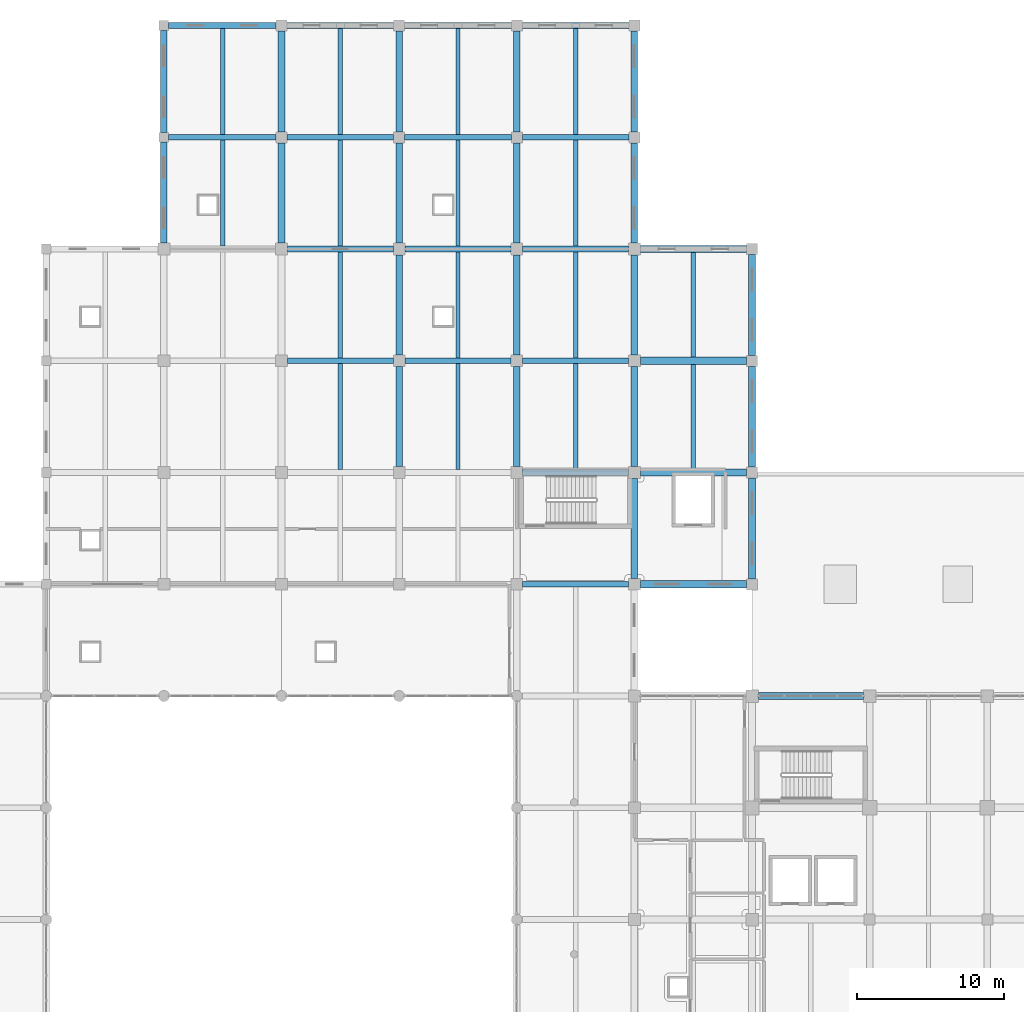
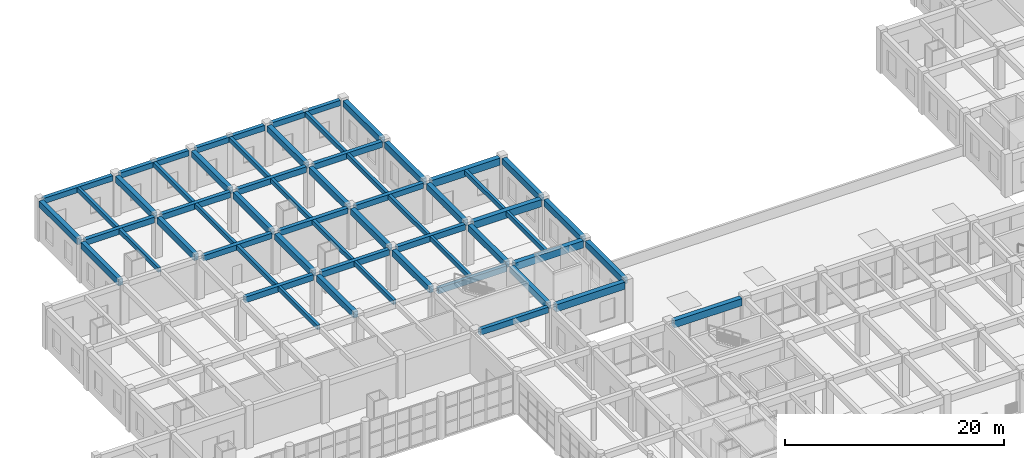
# One storey, part 40 of 101: 57 beams.
"""IFC4 building model written with IfcOpenShell, lengths in metres."""

from ifc_helpers import new_model, si_unit, direction, frame, origin, origin_2d, place, context, subcontext, project, spatial, rectangle, extrude, material, material_profile, profile_set, type_object, element, save


model = new_model("IFC4")

# Units and contexts
model_context = context("Model", 3, precision=1e-05, world=origin(), true_north=direction((0.0, 1.0)))
body_context = subcontext(model_context, "Body", "Model", "MODEL_VIEW")
ifc_project = project(units=[si_unit("LENGTHUNIT", "METRE"), si_unit("AREAUNIT", "SQUARE_METRE"), si_unit("VOLUMEUNIT", "CUBIC_METRE"), si_unit("PLANEANGLEUNIT", "RADIAN"), si_unit("MASSUNIT", "GRAM", prefix="KILO")], contexts=[model_context])

# Site, building, storey
site_placement = place(None, origin())
site = spatial("IfcSite", under=ifc_project, at=site_placement, CompositionType="ELEMENT")
building_placement = place(site_placement, origin())
building = spatial("IfcBuilding", under=site, at=building_placement, Name="Zantavel Square City Hall", CompositionType="ELEMENT")
storey_placement = place(building_placement, frame((0.0, 0.0, 5.39990234375)))
storey = spatial("IfcBuildingStorey", under=building, at=storey_placement, Name="L02", CompositionType="ELEMENT", Elevation=5.39990234375)

# Beams
ifc_material = material(Name="Concrete C35/45", Category="concrete")
ifc_material_profile_1 = material_profile(ifc_material, rectangle(XDim=0.300048828125, YDim=0.5, at=origin_2d()), Name="RC 300x500")
ifc_profile_set_1 = profile_set([ifc_material_profile_1], Name="Concrete C35/45")
beam_type_1 = type_object("IfcBeamType", Name="Floor Joist RC 300x500 C35/45", PredefinedType="JOIST", material=ifc_profile_set_1)
for number, where, z_axis, x_axis, name in (
    (1, (28.0, 99.0, 4.2900390625), (0.0, 1.0, 0.0), (-1.0, 0.0, 0.0), "L02 Floor Joist JST-L02-0280-0988"),
    (2, (28.0, 106.60009765625, 4.2900390625), (0.0, 1.0, 0.0), (-1.0, 0.0, 0.0), "L02 Floor Joist JST-L02-0280-1064"),
    (3, (36.0, 83.800048828125, 4.2900390625), (0.0, 1.0, 0.0), (-1.0, 0.0, 0.0), "L02 Floor Joist JST-L02-0360-0836"),
):
    element("IfcBeam", number, at=place(storey_placement, frame(where, z_axis=z_axis, x_axis=x_axis)), inside=storey, type_object=beam_type_1, Name=name, PredefinedType="JOIST", context=body_context, shape_type="SweptSolid", body=[
        extrude(rectangle(XDim=0.300048828125, YDim=0.5, at=origin_2d()), origin(), (0.0, 0.0, 1.0), 7.199951171875),
    ])
beam_1_placement = place(storey_placement, frame((36.0, 91.39990234375, 4.2900390625), z_axis=(0.0, 1.0, 0.0), x_axis=(-1.0, 0.0, 0.0)))
element("IfcBeam", 4, at=beam_1_placement, inside=storey, type_object=beam_type_1, Name="L02 Floor Joist JST-L02-0360-0912", PredefinedType="JOIST", context=body_context, shape_type="SweptSolid", body=[
    extrude(rectangle(XDim=0.300048828125, YDim=0.5, at=origin_2d()), origin(), (0.0, 0.0, 1.0), 7.2001953125),
])
for number, where, z_axis, x_axis, name in (
    (5, (36.0, 99.0, 4.2900390625), (0.0, 1.0, 0.0), (-1.0, 0.0, 0.0), "L02 Floor Joist JST-L02-0360-0988"),
    (6, (36.0, 106.60009765625, 4.2900390625), (0.0, 1.0, 0.0), (-1.0, 0.0, 0.0), "L02 Floor Joist JST-L02-0360-1064"),
    (7, (44.0, 83.800048828125, 4.2900390625), (0.0, 1.0, 0.0), (-1.0, 0.0, 0.0), "L02 Floor Joist JST-L02-0440-0836"),
):
    element("IfcBeam", number, at=place(storey_placement, frame(where, z_axis=z_axis, x_axis=x_axis)), inside=storey, type_object=beam_type_1, Name=name, PredefinedType="JOIST", context=body_context, shape_type="SweptSolid", body=[
        extrude(rectangle(XDim=0.300048828125, YDim=0.5, at=origin_2d()), origin(), (0.0, 0.0, 1.0), 7.199951171875),
    ])
beam_2_placement = place(storey_placement, frame((44.0, 91.39990234375, 4.2900390625), z_axis=(0.0, 1.0, 0.0), x_axis=(-1.0, 0.0, 0.0)))
element("IfcBeam", 8, at=beam_2_placement, inside=storey, type_object=beam_type_1, Name="L02 Floor Joist JST-L02-0440-0912", PredefinedType="JOIST", context=body_context, shape_type="SweptSolid", body=[
    extrude(rectangle(XDim=0.300048828125, YDim=0.5, at=origin_2d()), origin(), (0.0, 0.0, 1.0), 7.2001953125),
])
for number, where, z_axis, x_axis, name in (
    (9, (44.0, 99.0, 4.2900390625), (0.0, 1.0, 0.0), (-1.0, 0.0, 0.0), "L02 Floor Joist JST-L02-0440-0988"),
    (10, (44.0, 106.60009765625, 4.2900390625), (0.0, 1.0, 0.0), (-1.0, 0.0, 0.0), "L02 Floor Joist JST-L02-0440-1064"),
    (11, (52.0, 83.800048828125, 4.2900390625), (0.0, 1.0, 0.0), (-1.0, 0.0, 0.0), "L02 Floor Joist JST-L02-0520-0836"),
):
    element("IfcBeam", number, at=place(storey_placement, frame(where, z_axis=z_axis, x_axis=x_axis)), inside=storey, type_object=beam_type_1, Name=name, PredefinedType="JOIST", context=body_context, shape_type="SweptSolid", body=[
        extrude(rectangle(XDim=0.300048828125, YDim=0.5, at=origin_2d()), origin(), (0.0, 0.0, 1.0), 7.199951171875),
    ])
beam_3_placement = place(storey_placement, frame((52.0, 91.39990234375, 4.2900390625), z_axis=(0.0, 1.0, 0.0), x_axis=(-1.0, 0.0, 0.0)))
element("IfcBeam", 12, at=beam_3_placement, inside=storey, type_object=beam_type_1, Name="L02 Floor Joist JST-L02-0520-0912", PredefinedType="JOIST", context=body_context, shape_type="SweptSolid", body=[
    extrude(rectangle(XDim=0.300048828125, YDim=0.5, at=origin_2d()), origin(), (0.0, 0.0, 1.0), 7.2001953125),
])
for number, where, z_axis, x_axis, name in (
    (13, (52.0, 99.0, 4.2900390625), (0.0, 1.0, 0.0), (-1.0, 0.0, 0.0), "L02 Floor Joist JST-L02-0520-0988"),
    (14, (52.0, 106.60009765625, 4.2900390625), (0.0, 1.0, 0.0), (-1.0, 0.0, 0.0), "L02 Floor Joist JST-L02-0520-1064"),
):
    element("IfcBeam", number, at=place(storey_placement, frame(where, z_axis=z_axis, x_axis=x_axis)), inside=storey, type_object=beam_type_1, Name=name, PredefinedType="JOIST", context=body_context, shape_type="SweptSolid", body=[
        extrude(rectangle(XDim=0.300048828125, YDim=0.5, at=origin_2d()), origin(), (0.0, 0.0, 1.0), 7.199951171875),
    ])
beam_4_placement = place(storey_placement, frame((60.0, 83.85009765625, 4.2900390625), z_axis=(0.0, 1.0, 0.0), x_axis=(-1.0, 0.0, 0.0)))
element("IfcBeam", 15, at=beam_4_placement, inside=storey, type_object=beam_type_1, Name="L02 Floor Joist JST-L02-0600-0836", PredefinedType="JOIST", context=body_context, shape_type="SweptSolid", body=[
    extrude(rectangle(XDim=0.300048828125, YDim=0.5, at=origin_2d()), origin(), (0.0, 0.0, 1.0), 7.099853515625),
])
beam_5_placement = place(storey_placement, frame((60.0, 91.449951171875, 4.2900390625), z_axis=(0.0, 1.0, 0.0), x_axis=(-1.0, 0.0, 0.0)))
element("IfcBeam", 16, at=beam_5_placement, inside=storey, type_object=beam_type_1, Name="L02 Floor Joist JST-L02-0600-0912", PredefinedType="JOIST", context=body_context, shape_type="SweptSolid", body=[
    extrude(rectangle(XDim=0.300048828125, YDim=0.5, at=origin_2d()), origin(), (0.0, 0.0, 1.0), 7.10009765625),
])
ifc_material_profile_2 = material_profile(ifc_material, rectangle(XDim=0.39990234375, YDim=0.64990234375, at=origin_2d()), Name="RC 400x650")
ifc_profile_set_2 = profile_set([ifc_material_profile_2], Name="Concrete C35/45")
beam_type_2 = type_object("IfcBeamType", Name="Frame Beam RC 400x650 C35/45", PredefinedType="BEAM", material=ifc_profile_set_2)
beam_6_placement = place(storey_placement, frame((24.324951171875, 106.39990234375, 4.215087890625), z_axis=(1.0, 0.0, 0.0), x_axis=(0.0, 1.0, 0.0)))
element("IfcBeam", 17, at=beam_6_placement, inside=storey, type_object=beam_type_2, Name="L02 Girder BMX-L02-0240-1064", PredefinedType="BEAM", context=body_context, shape_type="SweptSolid", body=[
    extrude(rectangle(XDim=0.39990234375, YDim=0.64990234375, at=origin_2d()), origin(), (0.0, 0.0, 1.0), 7.300048828125),
])
beam_7_placement = place(storey_placement, frame((32.39990234375, 91.199951171875, 4.215087890625), z_axis=(1.0, 0.0, 0.0), x_axis=(0.0, 1.0, 0.0)))
element("IfcBeam", 18, at=beam_7_placement, inside=storey, type_object=beam_type_2, Name="L02 Girder BMX-L02-0320-0912", PredefinedType="BEAM", context=body_context, shape_type="SweptSolid", body=[
    extrude(rectangle(XDim=0.39990234375, YDim=0.64990234375, at=origin_2d()), origin(), (0.0, 0.0, 1.0), 7.2001953125),
])
beam_8_placement = place(storey_placement, frame((32.375, 106.39990234375, 4.215087890625), z_axis=(1.0, 0.0, 0.0), x_axis=(0.0, 1.0, 0.0)))
element("IfcBeam", 19, at=beam_8_placement, inside=storey, type_object=beam_type_2, Name="L02 Girder BMX-L02-0320-1064", PredefinedType="BEAM", context=body_context, shape_type="SweptSolid", body=[
    extrude(rectangle(XDim=0.39990234375, YDim=0.64990234375, at=origin_2d()), origin(), (0.0, 0.0, 1.0), 7.25),
])
beam_9_placement = place(storey_placement, frame((40.39990234375, 91.199951171875, 4.215087890625), z_axis=(1.0, 0.0, 0.0), x_axis=(0.0, 1.0, 0.0)))
element("IfcBeam", 20, at=beam_9_placement, inside=storey, type_object=beam_type_2, Name="L02 Girder BMX-L02-0400-0912", PredefinedType="BEAM", context=body_context, shape_type="SweptSolid", body=[
    extrude(rectangle(XDim=0.39990234375, YDim=0.64990234375, at=origin_2d()), origin(), (0.0, 0.0, 1.0), 7.2001953125),
])
beam_10_placement = place(storey_placement, frame((40.375, 106.39990234375, 4.215087890625), z_axis=(1.0, 0.0, 0.0), x_axis=(0.0, 1.0, 0.0)))
element("IfcBeam", 21, at=beam_10_placement, inside=storey, type_object=beam_type_2, Name="L02 Girder BMX-L02-0400-1064", PredefinedType="BEAM", context=body_context, shape_type="SweptSolid", body=[
    extrude(rectangle(XDim=0.39990234375, YDim=0.64990234375, at=origin_2d()), origin(), (0.0, 0.0, 1.0), 7.25),
])
for number, where, z_axis, x_axis, name in (
    (22, (48.39990234375, 76.0, 4.215087890625), (1.0, 0.0, 0.0), (0.0, 1.0, 0.0), "L02 Girder BMX-L02-0480-0760"),
    (23, (48.39990234375, 83.60009765625, 4.215087890625), (1.0, 0.0, 0.0), (0.0, 1.0, 0.0), "L02 Girder BMX-L02-0480-0836"),
    (24, (48.39990234375, 91.199951171875, 4.215087890625), (1.0, 0.0, 0.0), (0.0, 1.0, 0.0), "L02 Girder BMX-L02-0480-0912"),
):
    element("IfcBeam", number, at=place(storey_placement, frame(where, z_axis=z_axis, x_axis=x_axis)), inside=storey, type_object=beam_type_2, Name=name, PredefinedType="BEAM", context=body_context, shape_type="SweptSolid", body=[
        extrude(rectangle(XDim=0.39990234375, YDim=0.64990234375, at=origin_2d()), origin(), (0.0, 0.0, 1.0), 7.2001953125),
    ])
beam_11_placement = place(storey_placement, frame((48.375, 106.39990234375, 4.215087890625), z_axis=(1.0, 0.0, 0.0), x_axis=(0.0, 1.0, 0.0)))
element("IfcBeam", 25, at=beam_11_placement, inside=storey, type_object=beam_type_2, Name="L02 Girder BMX-L02-0480-1064", PredefinedType="BEAM", context=body_context, shape_type="SweptSolid", body=[
    extrude(rectangle(XDim=0.39990234375, YDim=0.64990234375, at=origin_2d()), origin(), (0.0, 0.0, 1.0), 7.25),
])
ifc_material_profile_3 = material_profile(ifc_material, rectangle(XDim=0.39990234375, YDim=0.60009765625, at=origin_2d()), Name="RC 400x600")
ifc_profile_set_3 = profile_set([ifc_material_profile_3], Name="Concrete C35/45")
beam_type_3 = type_object("IfcBeamType", Name="Perimeter Spandrel RC 400x600 C35/45", PredefinedType="SPANDREL", material=ifc_profile_set_3)
beam_12_placement = place(storey_placement, frame((24.324951171875, 114.0, 4.239990234375), z_axis=(1.0, 0.0, 0.0), x_axis=(0.0, 1.0, 0.0)))
element("IfcBeam", 26, at=beam_12_placement, inside=storey, type_object=beam_type_3, Name="L02 Girder BMX-L02-0240-1140", PredefinedType="SPANDREL", context=body_context, shape_type="SweptSolid", body=[
    extrude(rectangle(XDim=0.39990234375, YDim=0.60009765625, at=origin_2d()), origin(), (0.0, 0.0, 1.0), 7.300048828125),
])
beam_13_placement = place(storey_placement, frame((32.39990234375, 98.800048828125, 4.239990234375), z_axis=(1.0, 0.0, 0.0), x_axis=(0.0, 1.0, 0.0)))
element("IfcBeam", 27, at=beam_13_placement, inside=storey, type_object=beam_type_3, Name="L02 Girder BMX-L02-0320-0988", PredefinedType="SPANDREL", context=body_context, shape_type="SweptSolid", body=[
    extrude(rectangle(XDim=0.39990234375, YDim=0.60009765625, at=origin_2d()), origin(), (0.0, 0.0, 1.0), 7.2001953125),
])
beam_14_placement = place(storey_placement, frame((32.375, 114.0, 4.239990234375), z_axis=(1.0, 0.0, 0.0), x_axis=(0.0, 1.0, 0.0)))
element("IfcBeam", 28, at=beam_14_placement, inside=storey, type_object=beam_type_3, Name="L02 Girder BMX-L02-0320-1140", PredefinedType="SPANDREL", context=body_context, shape_type="SweptSolid", body=[
    extrude(rectangle(XDim=0.39990234375, YDim=0.60009765625, at=origin_2d()), origin(), (0.0, 0.0, 1.0), 7.25),
])
beam_15_placement = place(storey_placement, frame((40.39990234375, 98.800048828125, 4.239990234375), z_axis=(1.0, 0.0, 0.0), x_axis=(0.0, 1.0, 0.0)))
element("IfcBeam", 29, at=beam_15_placement, inside=storey, type_object=beam_type_3, Name="L02 Girder BMX-L02-0400-0988", PredefinedType="SPANDREL", context=body_context, shape_type="SweptSolid", body=[
    extrude(rectangle(XDim=0.39990234375, YDim=0.60009765625, at=origin_2d()), origin(), (0.0, 0.0, 1.0), 7.2001953125),
])
beam_16_placement = place(storey_placement, frame((40.375, 114.0, 4.239990234375), z_axis=(1.0, 0.0, 0.0), x_axis=(0.0, 1.0, 0.0)))
element("IfcBeam", 30, at=beam_16_placement, inside=storey, type_object=beam_type_3, Name="L02 Girder BMX-L02-0400-1140", PredefinedType="SPANDREL", context=body_context, shape_type="SweptSolid", body=[
    extrude(rectangle(XDim=0.39990234375, YDim=0.60009765625, at=origin_2d()), origin(), (0.0, 0.0, 1.0), 7.25),
])
beam_17_placement = place(storey_placement, frame((48.39990234375, 98.800048828125, 4.239990234375), z_axis=(1.0, 0.0, 0.0), x_axis=(0.0, 1.0, 0.0)))
element("IfcBeam", 31, at=beam_17_placement, inside=storey, type_object=beam_type_3, Name="L02 Girder BMX-L02-0480-0988", PredefinedType="SPANDREL", context=body_context, shape_type="SweptSolid", body=[
    extrude(rectangle(XDim=0.39990234375, YDim=0.60009765625, at=origin_2d()), origin(), (0.0, 0.0, 1.0), 7.2001953125),
])
beam_18_placement = place(storey_placement, frame((48.375, 114.0, 4.239990234375), z_axis=(1.0, 0.0, 0.0), x_axis=(0.0, 1.0, 0.0)))
element("IfcBeam", 32, at=beam_18_placement, inside=storey, type_object=beam_type_3, Name="L02 Girder BMX-L02-0480-1140", PredefinedType="SPANDREL", context=body_context, shape_type="SweptSolid", body=[
    extrude(rectangle(XDim=0.39990234375, YDim=0.60009765625, at=origin_2d()), origin(), (0.0, 0.0, 1.0), 7.25),
])
ifc_material_profile_4 = material_profile(ifc_material, rectangle(XDim=0.449951171875, YDim=0.699951171875, at=origin_2d()), Name="RC 450x700")
ifc_profile_set_4 = profile_set([ifc_material_profile_4], Name="Concrete C35/45")
beam_type_4 = type_object("IfcBeamType", Name="Primary Girder RC 450x700 C35/45", PredefinedType="BEAM", material=ifc_profile_set_4)
beam_19_placement = place(storey_placement, frame((24.0, 99.199951171875, 4.190185546875), z_axis=(0.0, 1.0, 0.0), x_axis=(-1.0, 0.0, 0.0)))
element("IfcBeam", 33, at=beam_19_placement, inside=storey, type_object=beam_type_4, Name="L02 Beam BMY-L02-0240-0988", PredefinedType="BEAM", context=body_context, shape_type="SweptSolid", body=[
    extrude(rectangle(XDim=0.449951171875, YDim=0.699951171875, at=origin_2d()), origin(), (0.0, 0.0, 1.0), 6.875),
])
beam_20_placement = place(storey_placement, frame((24.0, 106.72509765625, 4.190185546875), z_axis=(0.0, 1.0, 0.0), x_axis=(-1.0, 0.0, 0.0)))
element("IfcBeam", 34, at=beam_20_placement, inside=storey, type_object=beam_type_4, Name="L02 Beam BMY-L02-0240-1064", PredefinedType="BEAM", context=body_context, shape_type="SweptSolid", body=[
    extrude(rectangle(XDim=0.449951171875, YDim=0.699951171875, at=origin_2d()), origin(), (0.0, 0.0, 1.0), 6.949951171875),
])
beam_21_placement = place(storey_placement, frame((32.0, 99.199951171875, 4.190185546875), z_axis=(0.0, 1.0, 0.0), x_axis=(-1.0, 0.0, 0.0)))
element("IfcBeam", 35, at=beam_21_placement, inside=storey, type_object=beam_type_4, Name="L02 Beam BMY-L02-0320-0988", PredefinedType="BEAM", context=body_context, shape_type="SweptSolid", body=[
    extrude(rectangle(XDim=0.449951171875, YDim=0.699951171875, at=origin_2d()), origin(), (0.0, 0.0, 1.0), 6.824951171875),
])
beam_22_placement = place(storey_placement, frame((32.0, 106.77490234375, 4.190185546875), z_axis=(0.0, 1.0, 0.0), x_axis=(-1.0, 0.0, 0.0)))
element("IfcBeam", 36, at=beam_22_placement, inside=storey, type_object=beam_type_4, Name="L02 Beam BMY-L02-0320-1064", PredefinedType="BEAM", context=body_context, shape_type="SweptSolid", body=[
    extrude(rectangle(XDim=0.449951171875, YDim=0.699951171875, at=origin_2d()), origin(), (0.0, 0.0, 1.0), 6.85009765625),
])
beam_23_placement = place(storey_placement, frame((40.0, 84.0, 4.190185546875), z_axis=(0.0, 1.0, 0.0), x_axis=(-1.0, 0.0, 0.0)))
element("IfcBeam", 37, at=beam_23_placement, inside=storey, type_object=beam_type_4, Name="L02 Beam BMY-L02-0400-0836", PredefinedType="BEAM", context=body_context, shape_type="SweptSolid", body=[
    extrude(rectangle(XDim=0.449951171875, YDim=0.699951171875, at=origin_2d()), origin(), (0.0, 0.0, 1.0), 6.800048828125),
])
beam_24_placement = place(storey_placement, frame((40.0, 91.60009765625, 4.190185546875), z_axis=(0.0, 1.0, 0.0), x_axis=(-1.0, 0.0, 0.0)))
element("IfcBeam", 38, at=beam_24_placement, inside=storey, type_object=beam_type_4, Name="L02 Beam BMY-L02-0400-0912", PredefinedType="BEAM", context=body_context, shape_type="SweptSolid", body=[
    extrude(rectangle(XDim=0.449951171875, YDim=0.699951171875, at=origin_2d()), origin(), (0.0, 0.0, 1.0), 6.7998046875),
])
beam_25_placement = place(storey_placement, frame((40.0, 99.199951171875, 4.190185546875), z_axis=(0.0, 1.0, 0.0), x_axis=(-1.0, 0.0, 0.0)))
element("IfcBeam", 39, at=beam_25_placement, inside=storey, type_object=beam_type_4, Name="L02 Beam BMY-L02-0400-0988", PredefinedType="BEAM", context=body_context, shape_type="SweptSolid", body=[
    extrude(rectangle(XDim=0.449951171875, YDim=0.699951171875, at=origin_2d()), origin(), (0.0, 0.0, 1.0), 6.824951171875),
])
beam_26_placement = place(storey_placement, frame((40.0, 106.77490234375, 4.190185546875), z_axis=(0.0, 1.0, 0.0), x_axis=(-1.0, 0.0, 0.0)))
element("IfcBeam", 40, at=beam_26_placement, inside=storey, type_object=beam_type_4, Name="L02 Beam BMY-L02-0400-1064", PredefinedType="BEAM", context=body_context, shape_type="SweptSolid", body=[
    extrude(rectangle(XDim=0.449951171875, YDim=0.699951171875, at=origin_2d()), origin(), (0.0, 0.0, 1.0), 6.85009765625),
])
beam_27_placement = place(storey_placement, frame((48.0, 84.0, 4.190185546875), z_axis=(0.0, 1.0, 0.0), x_axis=(-1.0, 0.0, 0.0)))
element("IfcBeam", 41, at=beam_27_placement, inside=storey, type_object=beam_type_4, Name="L02 Beam BMY-L02-0480-0836", PredefinedType="BEAM", context=body_context, shape_type="SweptSolid", body=[
    extrude(rectangle(XDim=0.449951171875, YDim=0.699951171875, at=origin_2d()), origin(), (0.0, 0.0, 1.0), 6.800048828125),
])
beam_28_placement = place(storey_placement, frame((48.0, 91.60009765625, 4.190185546875), z_axis=(0.0, 1.0, 0.0), x_axis=(-1.0, 0.0, 0.0)))
element("IfcBeam", 42, at=beam_28_placement, inside=storey, type_object=beam_type_4, Name="L02 Beam BMY-L02-0480-0912", PredefinedType="BEAM", context=body_context, shape_type="SweptSolid", body=[
    extrude(rectangle(XDim=0.449951171875, YDim=0.699951171875, at=origin_2d()), origin(), (0.0, 0.0, 1.0), 6.7998046875),
])
beam_29_placement = place(storey_placement, frame((48.0, 99.199951171875, 4.190185546875), z_axis=(0.0, 1.0, 0.0), x_axis=(-1.0, 0.0, 0.0)))
element("IfcBeam", 43, at=beam_29_placement, inside=storey, type_object=beam_type_4, Name="L02 Beam BMY-L02-0480-0988", PredefinedType="BEAM", context=body_context, shape_type="SweptSolid", body=[
    extrude(rectangle(XDim=0.449951171875, YDim=0.699951171875, at=origin_2d()), origin(), (0.0, 0.0, 1.0), 6.824951171875),
])
beam_30_placement = place(storey_placement, frame((48.0, 106.77490234375, 4.190185546875), z_axis=(0.0, 1.0, 0.0), x_axis=(-1.0, 0.0, 0.0)))
element("IfcBeam", 44, at=beam_30_placement, inside=storey, type_object=beam_type_4, Name="L02 Beam BMY-L02-0480-1064", PredefinedType="BEAM", context=body_context, shape_type="SweptSolid", body=[
    extrude(rectangle(XDim=0.449951171875, YDim=0.699951171875, at=origin_2d()), origin(), (0.0, 0.0, 1.0), 6.85009765625),
])
for number, where, z_axis, x_axis, name in (
    (45, (56.0, 76.39990234375, 4.190185546875), (0.0, 1.0, 0.0), (-1.0, 0.0, 0.0), "L02 Beam BMY-L02-0560-0760"),
    (46, (56.0, 84.0, 4.190185546875), (0.0, 1.0, 0.0), (-1.0, 0.0, 0.0), "L02 Beam BMY-L02-0560-0836"),
):
    element("IfcBeam", number, at=place(storey_placement, frame(where, z_axis=z_axis, x_axis=x_axis)), inside=storey, type_object=beam_type_4, Name=name, PredefinedType="BEAM", context=body_context, shape_type="SweptSolid", body=[
        extrude(rectangle(XDim=0.449951171875, YDim=0.699951171875, at=origin_2d()), origin(), (0.0, 0.0, 1.0), 6.800048828125),
    ])
beam_31_placement = place(storey_placement, frame((56.0, 91.60009765625, 4.190185546875), z_axis=(0.0, 1.0, 0.0), x_axis=(-1.0, 0.0, 0.0)))
element("IfcBeam", 47, at=beam_31_placement, inside=storey, type_object=beam_type_4, Name="L02 Beam BMY-L02-0560-0912", PredefinedType="BEAM", context=body_context, shape_type="SweptSolid", body=[
    extrude(rectangle(XDim=0.449951171875, YDim=0.699951171875, at=origin_2d()), origin(), (0.0, 0.0, 1.0), 6.7998046875),
])
beam_32_placement = place(storey_placement, frame((56.0, 99.199951171875, 4.190185546875), z_axis=(0.0, 1.0, 0.0), x_axis=(-1.0, 0.0, 0.0)))
element("IfcBeam", 48, at=beam_32_placement, inside=storey, type_object=beam_type_4, Name="L02 Beam BMY-L02-0560-0988", PredefinedType="BEAM", context=body_context, shape_type="SweptSolid", body=[
    extrude(rectangle(XDim=0.449951171875, YDim=0.699951171875, at=origin_2d()), origin(), (0.0, 0.0, 1.0), 6.824951171875),
])
for number, where, z_axis, x_axis, name in (
    (49, (56.0, 106.77490234375, 4.190185546875), (0.0, 1.0, 0.0), (-1.0, 0.0, 0.0), "L02 Beam BMY-L02-0560-1064"),
    (50, (64.0, 76.375, 4.190185546875), (0.0, 1.0, 0.0), (-1.0, 0.0, 0.0), "L02 Beam BMY-L02-0640-0760"),
):
    element("IfcBeam", number, at=place(storey_placement, frame(where, z_axis=z_axis, x_axis=x_axis)), inside=storey, type_object=beam_type_4, Name=name, PredefinedType="BEAM", context=body_context, shape_type="SweptSolid", body=[
        extrude(rectangle(XDim=0.449951171875, YDim=0.699951171875, at=origin_2d()), origin(), (0.0, 0.0, 1.0), 6.85009765625),
    ])
beam_33_placement = place(storey_placement, frame((64.0, 83.97509765625, 4.190185546875), z_axis=(0.0, 1.0, 0.0), x_axis=(-1.0, 0.0, 0.0)))
element("IfcBeam", 51, at=beam_33_placement, inside=storey, type_object=beam_type_4, Name="L02 Beam BMY-L02-0640-0836", PredefinedType="BEAM", context=body_context, shape_type="SweptSolid", body=[
    extrude(rectangle(XDim=0.449951171875, YDim=0.699951171875, at=origin_2d()), origin(), (0.0, 0.0, 1.0), 6.849853515625),
])
beam_34_placement = place(storey_placement, frame((64.0, 91.574951171875, 4.190185546875), z_axis=(0.0, 1.0, 0.0), x_axis=(-1.0, 0.0, 0.0)))
element("IfcBeam", 52, at=beam_34_placement, inside=storey, type_object=beam_type_4, Name="L02 Beam BMY-L02-0640-0912", PredefinedType="BEAM", context=body_context, shape_type="SweptSolid", body=[
    extrude(rectangle(XDim=0.449951171875, YDim=0.699951171875, at=origin_2d()), origin(), (0.0, 0.0, 1.0), 6.85009765625),
])
ifc_material_profile_5 = material_profile(ifc_material, rectangle(XDim=0.5, YDim=0.800048828125, at=origin_2d()), Name="RC 500x800")
ifc_profile_set_5 = profile_set([ifc_material_profile_5], Name="Concrete C35/45")
beam_type_5 = type_object("IfcBeamType", Name="Primary Girder RC 500x800 C35/45", PredefinedType="BEAM", material=ifc_profile_set_5)
for number, where, z_axis, x_axis, name in (
    (53, (56.39990234375, 76.0, 4.14013671875), (1.0, 0.0, 0.0), (0.0, 1.0, 0.0), "L02 Girder BMX-L02-0560-0760"),
    (54, (56.39990234375, 83.60009765625, 4.14013671875), (1.0, 0.0, 0.0), (0.0, 1.0, 0.0), "L02 Girder BMX-L02-0560-0836"),
    (55, (56.39990234375, 91.199951171875, 4.14013671875), (1.0, 0.0, 0.0), (0.0, 1.0, 0.0), "L02 Girder BMX-L02-0560-0912"),
    (56, (56.39990234375, 98.800048828125, 4.14013671875), (1.0, 0.0, 0.0), (0.0, 1.0, 0.0), "L02 Girder BMX-L02-0560-0988"),
):
    element("IfcBeam", number, at=place(storey_placement, frame(where, z_axis=z_axis, x_axis=x_axis)), inside=storey, type_object=beam_type_5, Name=name, PredefinedType="BEAM", context=body_context, shape_type="SweptSolid", body=[
        extrude(rectangle(XDim=0.5, YDim=0.800048828125, at=origin_2d()), origin(), (0.0, 0.0, 1.0), 7.22509765625),
    ])
beam_35_placement = place(storey_placement, frame((64.425048828125, 68.39990234375, 4.14013671875), z_axis=(1.0, 0.0, 0.0), x_axis=(0.0, 1.0, 0.0)))
element("IfcBeam", 57, at=beam_35_placement, inside=storey, type_object=beam_type_5, Name="L02 Girder BMX-L02-0640-0684", PredefinedType="BEAM", context=body_context, shape_type="SweptSolid", body=[
    extrude(rectangle(XDim=0.5, YDim=0.800048828125, at=origin_2d()), origin(), (0.0, 0.0, 1.0), 7.14990234375),
])

save(model, "model.ifc")
